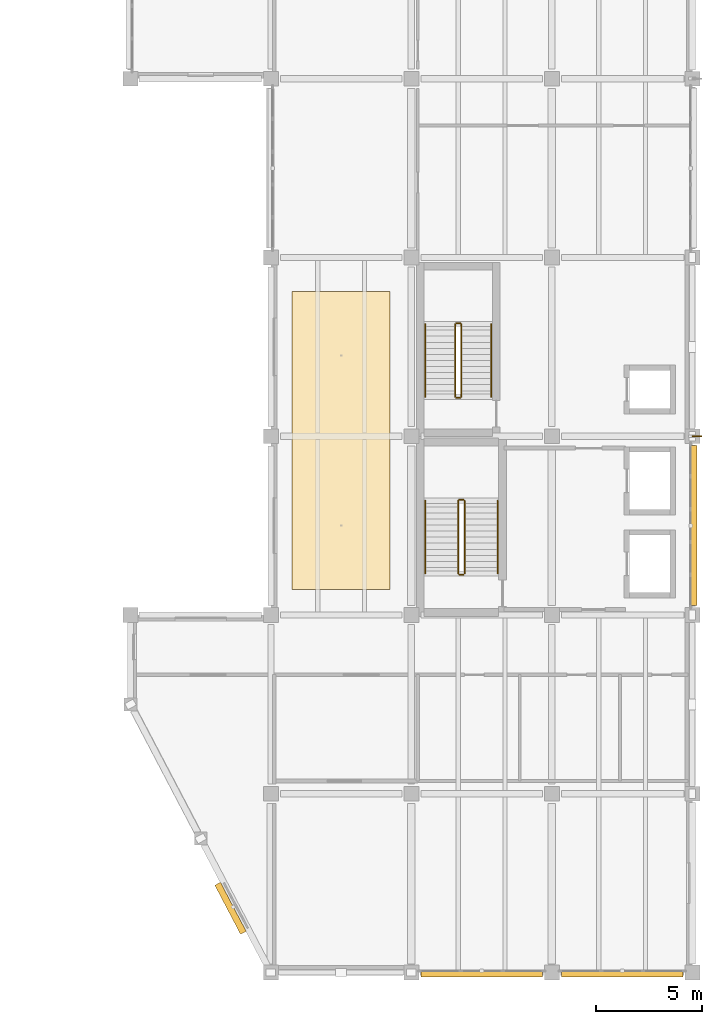
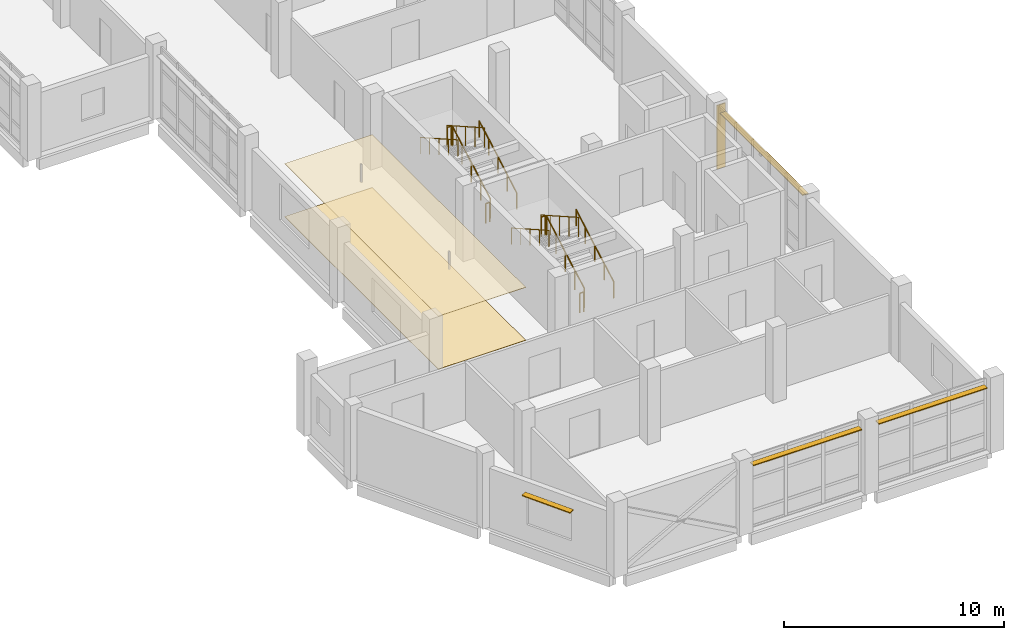
# One storey, part 70 of 74: 12 railings, 5 shading devices, 2 coverings.
"""IFC4 building model written with IfcOpenShell, lengths in metres."""

from ifc_helpers import new_model, si_unit, direction, frame, origin, origin_2d, place, context, subcontext, project, spatial, polyline, rectangle, circle, outline, extrude, material, layer, layer_set, type_object, element, save


model = new_model("IFC4")

# Units and contexts
model_context = context("Model", 3, precision=1e-05, world=origin(), true_north=direction((0.0, 1.0)))
body_context = subcontext(model_context, "Body", "Model", "MODEL_VIEW")
ifc_project = project(units=[si_unit("LENGTHUNIT", "METRE"), si_unit("AREAUNIT", "SQUARE_METRE"), si_unit("VOLUMEUNIT", "CUBIC_METRE"), si_unit("PLANEANGLEUNIT", "RADIAN"), si_unit("MASSUNIT", "GRAM", prefix="KILO")], contexts=[model_context])

# Site, building, storey
site_placement = place(None, origin())
site = spatial("IfcSite", under=ifc_project, at=site_placement, CompositionType="ELEMENT")
building_placement = place(site_placement, origin())
building = spatial("IfcBuilding", under=site, at=building_placement, Name="Qaldarim Faculty of Natural and Applied Sciences", CompositionType="ELEMENT")
storey_placement = place(building_placement, frame((0.0, 0.0, 14.39990234375)))
storey = spatial("IfcBuildingStorey", under=building, at=storey_placement, Name="L03", CompositionType="ELEMENT", Elevation=14.39990234375)

# Covering
ifc_material_1 = material(Name="Acoustic mineral fibre")
ifc_layer_1 = layer(ifc_material_1, 0.02001953125)
ifc_layer_set_1 = layer_set([ifc_layer_1], Name="Acoustic mineral fibre")
covering_type_1 = type_object("IfcCoveringType", Name="AcousticMineralCeiling-20", PredefinedType="CEILING", material=ifc_layer_set_1)
covering_1_placement = place(storey_placement, frame((0.0, 0.0, 2.9501953125)))
element("IfcCovering", 1, at=covering_1_placement, inside=storey, type_object=covering_type_1, Name="Acoustic corridor ceiling L03", PredefinedType="CEILING", context=body_context, shape_type="SweptSolid", body=[
    extrude(outline(polyline([(159.39990234375, 18.0), (164.0, 18.0), (164.0, 32.0), (159.39990234375, 32.0), (159.39990234375, 18.0)])), origin(), (0.0, 0.0, 1.0), 0.02001953125),
])

# Railings
ifc_material_2 = material(Name="Architectural stainless steel 316", Category="steel")
railing_type_1 = type_object("IfcRailingType", Name="GuardBalustrade-1100", PredefinedType="BALUSTRADE", material=ifc_material_2)
railing_1_placement = place(storey_placement, frame((167.5, 18.75, 0.16015625)))
element("IfcRailing", 2, at=railing_1_placement, inside=storey, type_object=railing_type_1, Name="ST-A1 L03 stair well guard 1", PredefinedType="BALUSTRADE", context=body_context, shape_type="SweptSolid", body=[
    extrude(circle(Radius=0.02392578125, at=origin_2d()), frame((0.0, 0.0, 1.076171875), z_axis=(0.0, 0.869805479697, 0.493394798806), x_axis=(-1.0, 0.0, 0.0)), (0.0, 0.0, 1.0), 3.931884765625),
    extrude(circle(Radius=0.02099609375, at=origin_2d()), origin(), (0.0, 0.0, 1.0), 1.052001953125),
    extrude(circle(Radius=0.02099609375, at=origin_2d()), frame((0.0, 0.85498046875, 0.48486328125)), (0.0, 0.0, 1.0), 1.052001953125),
    extrude(circle(Radius=0.02099609375, at=origin_2d()), frame((0.0, 1.7099609375, 0.969970703125)), (0.0, 0.0, 1.0), 1.052001953125),
    extrude(circle(Radius=0.02099609375, at=origin_2d()), frame((0.0, 2.56494140625, 1.455078125)), (0.0, 0.0, 1.0), 1.052001953125),
    extrude(circle(Radius=0.02099609375, at=origin_2d()), frame((0.0, 3.419921875, 1.93994140625)), (0.0, 0.0, 1.0), 1.052001953125),
])
railing_2_placement = place(storey_placement, frame((167.449951171875, 22.219970703125, 2.10009765625)))
element("IfcRailing", 3, at=railing_2_placement, inside=storey, type_object=railing_type_1, Name="ST-A1 L03 stair well guard 2", PredefinedType="BALUSTRADE", context=body_context, shape_type="SweptSolid", body=[
    extrude(circle(Radius=0.02392578125, at=origin_2d()), frame((0.0, 0.0, 1.076171875), z_axis=(-1.0, 0.0, 0.0), x_axis=(0.0, -1.0, 0.0)), (0.0, 0.0, 1.0), 0.199951171875),
    extrude(circle(Radius=0.02099609375, at=origin_2d()), origin(), (0.0, 0.0, 1.0), 1.052001953125),
    extrude(circle(Radius=0.02099609375, at=origin_2d()), frame((-0.199951171875, 0.0, 0.0)), (0.0, 0.0, 1.0), 1.052001953125),
])
railing_3_placement = place(storey_placement, frame((167.199951171875, 22.169921875, 2.260009765625)))
element("IfcRailing", 4, at=railing_3_placement, inside=storey, type_object=railing_type_1, Name="ST-A1 L03 stair well guard 3", PredefinedType="BALUSTRADE", context=body_context, shape_type="SweptSolid", body=[
    extrude(circle(Radius=0.02392578125, at=origin_2d()), frame((0.0, 0.0, 1.076171875), z_axis=(0.0, -0.869778831362, 0.493441774189), x_axis=(1.0, 0.0, 0.0)), (0.0, 0.0, 1.0), 3.931884765625),
    extrude(circle(Radius=0.02099609375, at=origin_2d()), origin(), (0.0, 0.0, 1.0), 1.052001953125),
    extrude(circle(Radius=0.02099609375, at=origin_2d()), frame((0.0, -0.85498046875, 0.485107421875)), (0.0, 0.0, 1.0), 1.052001953125),
    extrude(circle(Radius=0.02099609375, at=origin_2d()), frame((0.0, -1.7099609375, 0.97021484375)), (0.0, 0.0, 1.0), 1.052001953125),
    extrude(circle(Radius=0.02099609375, at=origin_2d()), frame((0.0, -2.56494140625, 1.455078125)), (0.0, 0.0, 1.0), 1.052001953125),
    extrude(circle(Radius=0.02099609375, at=origin_2d()), frame((0.0, -3.419921875, 1.940185546875)), (0.0, 0.0, 1.0), 1.052001953125),
])
railing_4_placement = place(storey_placement, frame((167.449951171875, 18.699951171875, 0.0)))
element("IfcRailing", 5, at=railing_4_placement, inside=storey, type_object=railing_type_1, Name="ST-A1 L03 stair well guard 4", PredefinedType="BALUSTRADE", context=body_context, shape_type="SweptSolid", body=[
    extrude(circle(Radius=0.02392578125, at=origin_2d()), frame((0.0, 0.0, 1.076171875), z_axis=(-1.0, 0.0, 0.0), x_axis=(0.0, -1.0, 0.0)), (0.0, 0.0, 1.0), 0.199951171875),
    extrude(circle(Radius=0.02099609375, at=origin_2d()), origin(), (0.0, 0.0, 1.0), 1.052001953125),
    extrude(circle(Radius=0.02099609375, at=origin_2d()), frame((-0.199951171875, 0.0, 0.0)), (0.0, 0.0, 1.0), 1.052001953125),
])
railing_5_placement = place(storey_placement, frame((167.35009765625, 27.050048828125, 0.16015625)))
element("IfcRailing", 6, at=railing_5_placement, inside=storey, type_object=railing_type_1, Name="ST-A2 L03 stair well guard 1", PredefinedType="BALUSTRADE", context=body_context, shape_type="SweptSolid", body=[
    extrude(circle(Radius=0.02392578125, at=origin_2d()), frame((0.0, 0.0, 1.076171875), z_axis=(0.0, 0.869805479697, 0.493394798806), x_axis=(-1.0, 0.0, 0.0)), (0.0, 0.0, 1.0), 3.931884765625),
    extrude(circle(Radius=0.02099609375, at=origin_2d()), origin(), (0.0, 0.0, 1.0), 1.052001953125),
    extrude(circle(Radius=0.02099609375, at=origin_2d()), frame((0.0, 0.85498046875, 0.48486328125)), (0.0, 0.0, 1.0), 1.052001953125),
    extrude(circle(Radius=0.02099609375, at=origin_2d()), frame((0.0, 1.7099609375, 0.969970703125)), (0.0, 0.0, 1.0), 1.052001953125),
    extrude(circle(Radius=0.02099609375, at=origin_2d()), frame((0.0, 2.56494140625, 1.455078125)), (0.0, 0.0, 1.0), 1.052001953125),
    extrude(circle(Radius=0.02099609375, at=origin_2d()), frame((0.0, 3.419921875, 1.93994140625)), (0.0, 0.0, 1.0), 1.052001953125),
])
railing_6_placement = place(storey_placement, frame((167.300048828125, 30.52001953125, 2.10009765625)))
element("IfcRailing", 7, at=railing_6_placement, inside=storey, type_object=railing_type_1, Name="ST-A2 L03 stair well guard 2", PredefinedType="BALUSTRADE", context=body_context, shape_type="SweptSolid", body=[
    extrude(circle(Radius=0.02392578125, at=origin_2d()), frame((0.0, 0.0, 1.076171875), z_axis=(-1.0, 0.0, 0.0), x_axis=(0.0, -1.0, 0.0)), (0.0, 0.0, 1.0), 0.199951171875),
    extrude(circle(Radius=0.02099609375, at=origin_2d()), origin(), (0.0, 0.0, 1.0), 1.052001953125),
    extrude(circle(Radius=0.02099609375, at=origin_2d()), frame((-0.199951171875, 0.0, 0.0)), (0.0, 0.0, 1.0), 1.052001953125),
])
railing_7_placement = place(storey_placement, frame((167.050048828125, 30.469970703125, 2.260009765625)))
element("IfcRailing", 8, at=railing_7_placement, inside=storey, type_object=railing_type_1, Name="ST-A2 L03 stair well guard 3", PredefinedType="BALUSTRADE", context=body_context, shape_type="SweptSolid", body=[
    extrude(circle(Radius=0.02392578125, at=origin_2d()), frame((0.0, 0.0, 1.076171875), z_axis=(0.0, -0.869778831362, 0.493441774189), x_axis=(1.0, 0.0, 0.0)), (0.0, 0.0, 1.0), 3.931884765625),
    extrude(circle(Radius=0.02099609375, at=origin_2d()), origin(), (0.0, 0.0, 1.0), 1.052001953125),
    extrude(circle(Radius=0.02099609375, at=origin_2d()), frame((0.0, -0.85498046875, 0.485107421875)), (0.0, 0.0, 1.0), 1.052001953125),
    extrude(circle(Radius=0.02099609375, at=origin_2d()), frame((0.0, -1.7099609375, 0.97021484375)), (0.0, 0.0, 1.0), 1.052001953125),
    extrude(circle(Radius=0.02099609375, at=origin_2d()), frame((0.0, -2.56494140625, 1.455078125)), (0.0, 0.0, 1.0), 1.052001953125),
    extrude(circle(Radius=0.02099609375, at=origin_2d()), frame((0.0, -3.419921875, 1.940185546875)), (0.0, 0.0, 1.0), 1.052001953125),
])
railing_8_placement = place(storey_placement, frame((167.300048828125, 27.0, 0.0)))
element("IfcRailing", 9, at=railing_8_placement, inside=storey, type_object=railing_type_1, Name="ST-A2 L03 stair well guard 4", PredefinedType="BALUSTRADE", context=body_context, shape_type="SweptSolid", body=[
    extrude(circle(Radius=0.02392578125, at=origin_2d()), frame((0.0, 0.0, 1.076171875), z_axis=(-1.0, 0.0, 0.0), x_axis=(0.0, -1.0, 0.0)), (0.0, 0.0, 1.0), 0.199951171875),
    extrude(circle(Radius=0.02099609375, at=origin_2d()), origin(), (0.0, 0.0, 1.0), 1.052001953125),
    extrude(circle(Radius=0.02099609375, at=origin_2d()), frame((-0.199951171875, 0.0, 0.0)), (0.0, 0.0, 1.0), 1.052001953125),
])

# Shading devices
ifc_material_3 = material(Name="Champagne anodised aluminium AW-6063", Category="aluminium")
ifc_layer_2 = layer(ifc_material_3, 0.050048828125)
ifc_layer_set_2 = layer_set([ifc_layer_2], Name="Champagne anodised aluminium AW-6063")
shading_device_type_1 = type_object("IfcShadingDeviceType", Name="SolarLouvre-ALU300x50", PredefinedType="JALOUSIE", material=ifc_layer_set_2)
for number, where, z_axis, x_axis, name in (
    (10, (168.300048828125, -0.070068359375, 3.56494140625), (0.0, 0.0, 1.0), (1.0, 0.0, 0.0), "Horizontal solar louvre L03 S X26Y01"),
    (11, (174.89990234375, -0.070068359375, 3.56494140625), (0.0, 0.0, 1.0), (1.0, 0.0, 0.0), "Horizontal solar louvre L03 S X27Y01"),
):
    element("IfcShadingDevice", number, at=place(storey_placement, frame(where, z_axis=z_axis, x_axis=x_axis)), inside=storey, type_object=shading_device_type_1, Name=name, PredefinedType="JALOUSIE", context=body_context, shape_type="SweptSolid", body=[
        extrude(rectangle(XDim=5.7099609375, YDim=0.300048828125, at=origin_2d()), origin(), (0.0, 0.0, 1.0), 0.050048828125),
    ])
shading_device_1_placement = place(storey_placement, frame((178.27001953125, 21.0, 3.56494140625), z_axis=(0.0, 0.0, 1.0), x_axis=(0.0, 1.0, 0.0)))
element("IfcShadingDevice", 12, at=shading_device_1_placement, inside=storey, type_object=shading_device_type_1, Name="Horizontal solar louvre L03 E X27Y03", PredefinedType="JALOUSIE", context=body_context, shape_type="SweptSolid", body=[
    extrude(rectangle(XDim=7.510009765625, YDim=0.300048828125, at=origin_2d()), origin(), (0.0, 0.0, 1.0), 0.050048828125),
])
shading_device_2_placement = place(storey_placement, frame((156.5, 3.02001953125, 2.67529296875), z_axis=(0.0, 0.0, 1.0), x_axis=(0.46447113214, -0.885588260654, 0.0)))
element("IfcShadingDevice", 13, at=shading_device_2_placement, inside=storey, type_object=shading_device_type_1, Name="Oblique facade horizontal solar louvre SHD-OBL-SW-L03-2", PredefinedType="JALOUSIE", context=body_context, shape_type="SweptSolid", body=[
    extrude(rectangle(XDim=2.60009765625, YDim=0.300048828125, at=origin_2d()), origin(), (0.0, 0.0, 1.0), 0.050048828125),
])

# Railings
railing_type_2 = type_object("IfcRailingType", Name="StairHandrail-920", PredefinedType="HANDRAIL", material=ifc_material_2)
railing_9_placement = place(storey_placement, frame((169.050048828125, 18.75, 0.16015625)))
element("IfcRailing", 14, at=railing_9_placement, inside=storey, type_object=railing_type_2, Name="ST-A1 L03 stair handrail 1", PredefinedType="HANDRAIL", context=body_context, shape_type="SweptSolid", body=[
    extrude(circle(Radius=0.02392578125, at=origin_2d()), frame((0.0, 0.0, 0.89599609375), z_axis=(0.0, 0.869805479697, 0.493394798806), x_axis=(-1.0, 0.0, 0.0)), (0.0, 0.0, 1.0), 3.931884765625),
    extrude(circle(Radius=0.02099609375, at=origin_2d()), origin(), (0.0, 0.0, 1.0), 0.871826171875),
    extrude(circle(Radius=0.02099609375, at=origin_2d()), frame((0.0, 0.85498046875, 0.48486328125)), (0.0, 0.0, 1.0), 0.871826171875),
    extrude(circle(Radius=0.02099609375, at=origin_2d()), frame((0.0, 1.7099609375, 0.969970703125)), (0.0, 0.0, 1.0), 0.871826171875),
    extrude(circle(Radius=0.02099609375, at=origin_2d()), frame((0.0, 2.56494140625, 1.455078125)), (0.0, 0.0, 1.0), 0.871826171875),
    extrude(circle(Radius=0.02099609375, at=origin_2d()), frame((0.0, 3.419921875, 1.93994140625)), (0.0, 0.0, 1.0), 0.871826171875),
])
railing_10_placement = place(storey_placement, frame((165.64990234375, 22.169921875, 2.260009765625)))
element("IfcRailing", 15, at=railing_10_placement, inside=storey, type_object=railing_type_2, Name="ST-A1 L03 stair handrail 2", PredefinedType="HANDRAIL", context=body_context, shape_type="SweptSolid", body=[
    extrude(circle(Radius=0.02392578125, at=origin_2d()), frame((0.0, 0.0, 0.89599609375), z_axis=(0.0, -0.869778831362, 0.493441774189), x_axis=(1.0, 0.0, 0.0)), (0.0, 0.0, 1.0), 3.931884765625),
    extrude(circle(Radius=0.02099609375, at=origin_2d()), origin(), (0.0, 0.0, 1.0), 0.871826171875),
    extrude(circle(Radius=0.02099609375, at=origin_2d()), frame((0.0, -0.85498046875, 0.485107421875)), (0.0, 0.0, 1.0), 0.871826171875),
    extrude(circle(Radius=0.02099609375, at=origin_2d()), frame((0.0, -1.7099609375, 0.97021484375)), (0.0, 0.0, 1.0), 0.871826171875),
    extrude(circle(Radius=0.02099609375, at=origin_2d()), frame((0.0, -2.56494140625, 1.455078125)), (0.0, 0.0, 1.0), 0.871826171875),
    extrude(circle(Radius=0.02099609375, at=origin_2d()), frame((0.0, -3.419921875, 1.940185546875)), (0.0, 0.0, 1.0), 0.871826171875),
])
railing_11_placement = place(storey_placement, frame((168.75, 27.050048828125, 0.16015625)))
element("IfcRailing", 16, at=railing_11_placement, inside=storey, type_object=railing_type_2, Name="ST-A2 L03 stair handrail 1", PredefinedType="HANDRAIL", context=body_context, shape_type="SweptSolid", body=[
    extrude(circle(Radius=0.02392578125, at=origin_2d()), frame((0.0, 0.0, 0.89599609375), z_axis=(0.0, 0.869805479697, 0.493394798806), x_axis=(-1.0, 0.0, 0.0)), (0.0, 0.0, 1.0), 3.931884765625),
    extrude(circle(Radius=0.02099609375, at=origin_2d()), origin(), (0.0, 0.0, 1.0), 0.871826171875),
    extrude(circle(Radius=0.02099609375, at=origin_2d()), frame((0.0, 0.85498046875, 0.48486328125)), (0.0, 0.0, 1.0), 0.871826171875),
    extrude(circle(Radius=0.02099609375, at=origin_2d()), frame((0.0, 1.7099609375, 0.969970703125)), (0.0, 0.0, 1.0), 0.871826171875),
    extrude(circle(Radius=0.02099609375, at=origin_2d()), frame((0.0, 2.56494140625, 1.455078125)), (0.0, 0.0, 1.0), 0.871826171875),
    extrude(circle(Radius=0.02099609375, at=origin_2d()), frame((0.0, 3.419921875, 1.93994140625)), (0.0, 0.0, 1.0), 0.871826171875),
])
railing_12_placement = place(storey_placement, frame((165.64990234375, 30.469970703125, 2.260009765625)))
element("IfcRailing", 17, at=railing_12_placement, inside=storey, type_object=railing_type_2, Name="ST-A2 L03 stair handrail 2", PredefinedType="HANDRAIL", context=body_context, shape_type="SweptSolid", body=[
    extrude(circle(Radius=0.02392578125, at=origin_2d()), frame((0.0, 0.0, 0.89599609375), z_axis=(0.0, -0.869778831362, 0.493441774189), x_axis=(1.0, 0.0, 0.0)), (0.0, 0.0, 1.0), 3.931884765625),
    extrude(circle(Radius=0.02099609375, at=origin_2d()), origin(), (0.0, 0.0, 1.0), 0.871826171875),
    extrude(circle(Radius=0.02099609375, at=origin_2d()), frame((0.0, -0.85498046875, 0.485107421875)), (0.0, 0.0, 1.0), 0.871826171875),
    extrude(circle(Radius=0.02099609375, at=origin_2d()), frame((0.0, -1.7099609375, 0.97021484375)), (0.0, 0.0, 1.0), 0.871826171875),
    extrude(circle(Radius=0.02099609375, at=origin_2d()), frame((0.0, -2.56494140625, 1.455078125)), (0.0, 0.0, 1.0), 0.871826171875),
    extrude(circle(Radius=0.02099609375, at=origin_2d()), frame((0.0, -3.419921875, 1.940185546875)), (0.0, 0.0, 1.0), 0.871826171875),
])

# Covering
ifc_material_4 = material(Name="Terrazzo stone finish", Category="masonry")
ifc_layer_3 = layer(ifc_material_4, 0.02490234375)
ifc_layer_set_3 = layer_set([ifc_layer_3], Name="Terrazzo stone finish")
covering_type_2 = type_object("IfcCoveringType", Name="TerrazzoFlooring-25", PredefinedType="FLOORING", material=ifc_layer_set_3)
covering_2_placement = place(storey_placement, origin())
element("IfcCovering", 18, at=covering_2_placement, inside=storey, type_object=covering_type_2, Name="Polished terrazzo corridor flooring L03", PredefinedType="FLOORING", context=body_context, shape_type="SweptSolid", body=[
    extrude(outline(polyline([(159.39990234375, 18.0), (164.0, 18.0), (164.0, 32.0), (159.39990234375, 32.0), (159.39990234375, 18.0)])), origin(), (0.0, 0.0, 1.0), 0.025146484375),
])

# Shading device
ifc_layer_4 = layer(ifc_material_3, 0.06005859375)
ifc_layer_set_4 = layer_set([ifc_layer_4], Name="Champagne anodised aluminium AW-6063")
shading_device_type_2 = type_object("IfcShadingDeviceType", Name="VerticalSunFin-ALU450x60", PredefinedType="SHUTTER", material=ifc_layer_set_4)
shading_device_3_placement = place(storey_placement, frame((178.425048828125, 25.199951171875, 0.2001953125), z_axis=(0.0, 0.0, 1.0), x_axis=(1.0, 0.0, 0.0)))
element("IfcShadingDevice", 19, at=shading_device_3_placement, inside=storey, type_object=shading_device_type_2, Name="Vertical solar fin FIN-L03-X28Y04", PredefinedType="SHUTTER", context=body_context, shape_type="SweptSolid", body=[
    extrude(rectangle(XDim=0.449951171875, YDim=0.06005859375, at=origin_2d()), origin(), (0.0, 0.0, 1.0), 3.5400390625),
])

save(model, "model.ifc")
